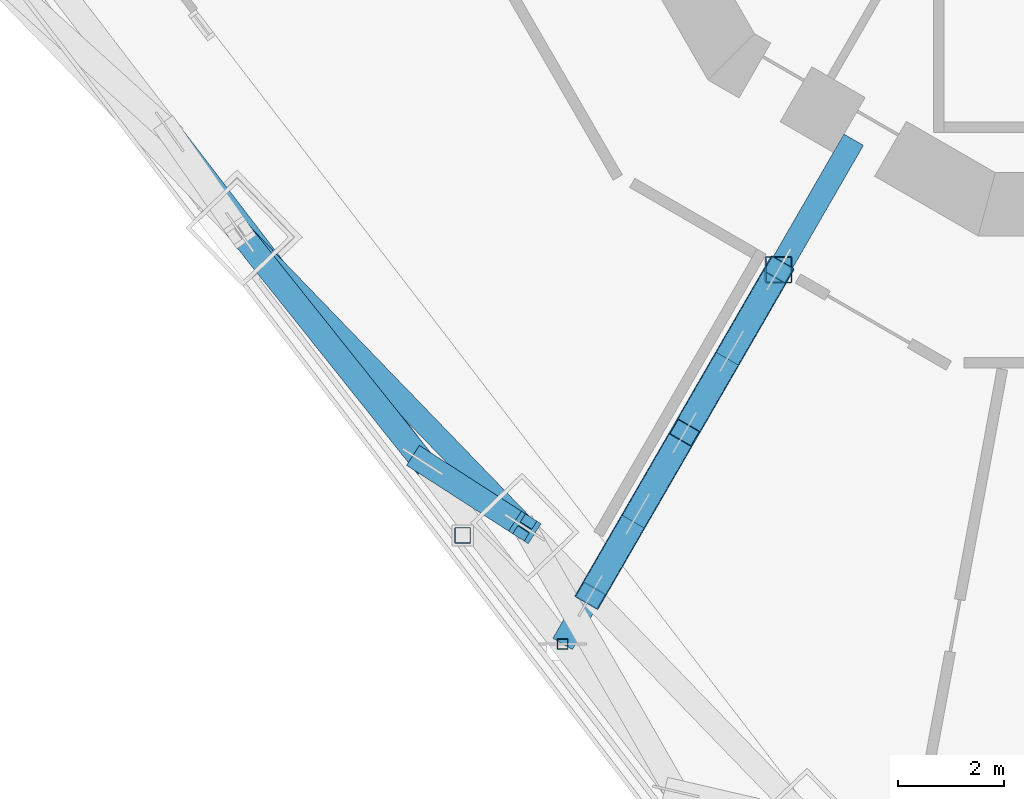
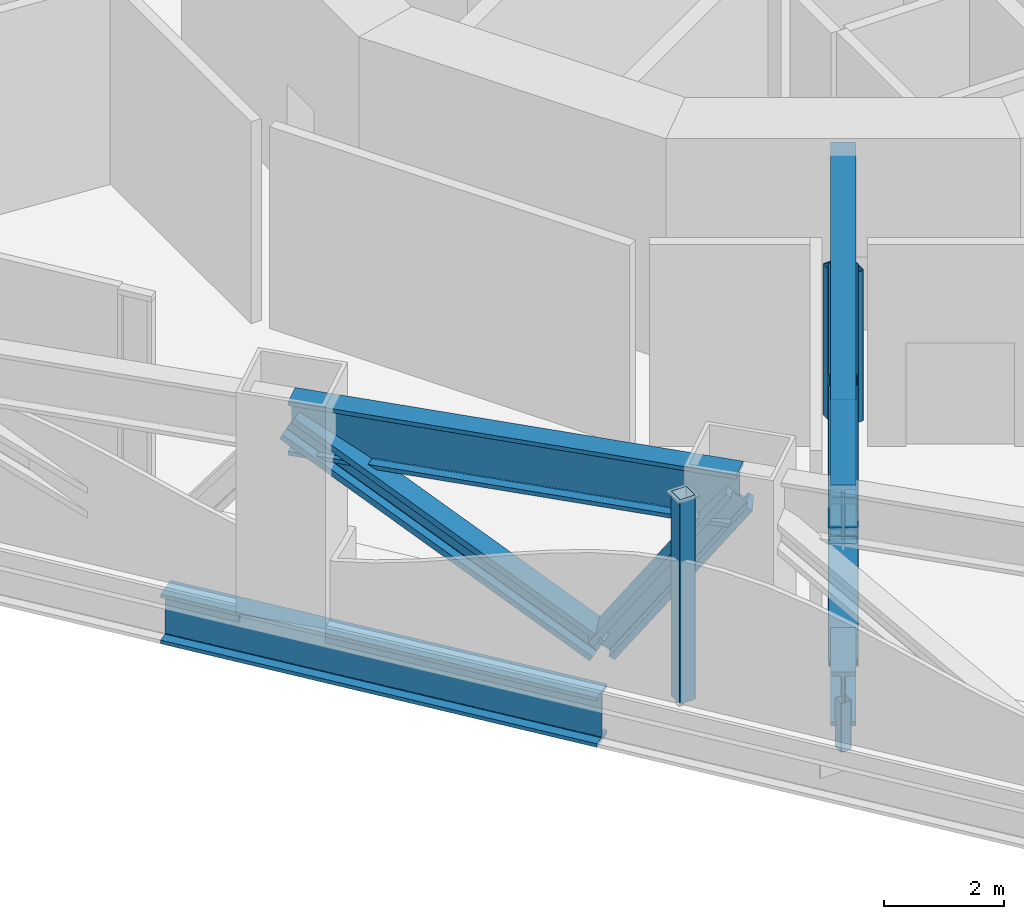
# One storey, part 2 of 31: 15 members.
"""IFC4 building model written with IfcOpenShell, lengths in metres."""

from ifc_helpers import new_model, si_unit, direction, frame, origin, origin_2d, place, context, subcontext, project, spatial, hollow_rectangle, i_section, extrude, material, material_profile, profile_set, type_object, element, save


model = new_model("IFC4")

# Units and contexts
model_context = context("Model", 3, precision=1e-05, world=origin(), true_north=direction((0.0, 1.0)))
body_context = subcontext(model_context, "Body", "Model", "MODEL_VIEW")
ifc_project = project(units=[si_unit("LENGTHUNIT", "METRE"), si_unit("AREAUNIT", "SQUARE_METRE"), si_unit("VOLUMEUNIT", "CUBIC_METRE"), si_unit("PLANEANGLEUNIT", "RADIAN"), si_unit("MASSUNIT", "GRAM", prefix="KILO")], contexts=[model_context])

# Site, building, storey
site_placement = place(None, origin())
site = spatial("IfcSite", under=ifc_project, at=site_placement, CompositionType="ELEMENT")
building_placement = place(site_placement, origin())
building = spatial("IfcBuilding", under=site, at=building_placement, Name="Trine Commons Tower", CompositionType="ELEMENT")
storey_placement = place(building_placement, frame((0.0, 0.0, 82.800048828125)))
storey = spatial("IfcBuildingStorey", under=building, at=storey_placement, Name="L20", CompositionType="ELEMENT", Elevation=82.800048828125)

# Members
ifc_material_1 = material(Name="Structural steel ASTM A500 Gr C", Category="steel")
ifc_material_profile_1 = material_profile(ifc_material_1, hollow_rectangle(XDim=0.508056640625, YDim=0.508056640625, WallThickness=0.020751953125, InnerFilletRadius=0.01025390625, OuterFilletRadius=0.031005859375, at=origin_2d()), Name="HSS20X20X7/8")
ifc_profile_set_1 = profile_set([ifc_material_profile_1], Name="Structural steel ASTM A500 Gr C")
member_type_1 = type_object("IfcMemberType", Name="Steel brace HSS20X20X7/8, ASTM A500 Gr C", PredefinedType="BRACE", material=ifc_profile_set_1)
member_1_placement = place(storey_placement, frame((73.27490234375, 50.85205078125, 0.546142578125), z_axis=(-0.379177903993, -0.656821894907, 0.651773822345), x_axis=(0.866047323742, -0.499962031597, 0.0)))
element("IfcMember", 1, at=member_1_placement, inside=storey, type_object=member_type_1, Name="Outrigger truss brace T2-OB-05", PredefinedType="BRACE", context=body_context, shape_type="SweptSolid", body=[
    extrude(hollow_rectangle(XDim=0.508056640625, YDim=0.508056640625, WallThickness=0.020751953125, InnerFilletRadius=0.01025390625, OuterFilletRadius=0.031005859375, at=origin_2d()), origin(), (0.0, 0.0, 1.0), 4.691162109375),
])
member_2_placement = place(storey_placement, frame((73.27490234375, 50.85205078125, 3.603759765625), z_axis=(-0.379164942965, -0.656851483682, -0.651751543466), x_axis=(0.866064474495, -0.499932321437, 0.0)))
element("IfcMember", 2, at=member_2_placement, inside=storey, type_object=member_type_1, Name="Outrigger truss brace T2-OB-06a", PredefinedType="BRACE", context=body_context, shape_type="SweptSolid", body=[
    extrude(hollow_rectangle(XDim=0.508056640625, YDim=0.508056640625, WallThickness=0.020751953125, InnerFilletRadius=0.01025390625, OuterFilletRadius=0.031005859375, at=origin_2d()), origin(), (0.0, 0.0, 1.0), 2.345703125),
])
member_3_placement = place(storey_placement, frame((72.385498046875, 49.311279296875, 2.074951171875), z_axis=(-0.379190865323, -0.656792303098, -0.651796101743), x_axis=(0.866030169931, -0.4999917447, 0.0)))
element("IfcMember", 3, at=member_3_placement, inside=storey, type_object=member_type_1, Name="Outrigger truss brace T2-OB-06b", PredefinedType="BRACE", context=body_context, shape_type="SweptSolid", body=[
    extrude(hollow_rectangle(XDim=0.508056640625, YDim=0.508056640625, WallThickness=0.020751953125, InnerFilletRadius=0.01025390625, OuterFilletRadius=0.031005859375, at=origin_2d()), origin(), (0.0, 0.0, 1.0), 2.345458984375),
])
member_4_placement = place(storey_placement, frame((71.49609375, 47.770751953125, 0.546142578125), z_axis=(-0.379190865323, -0.656792303098, 0.651796101743), x_axis=(0.866030169931, -0.4999917447, 0.0)))
element("IfcMember", 4, at=member_4_placement, inside=storey, type_object=member_type_1, Name="Outrigger truss brace T2-OB-07", PredefinedType="BRACE", context=body_context, shape_type="SweptSolid", body=[
    extrude(hollow_rectangle(XDim=0.508056640625, YDim=0.508056640625, WallThickness=0.020751953125, InnerFilletRadius=0.01025390625, OuterFilletRadius=0.031005859375, at=origin_2d()), origin(), (0.0, 0.0, 1.0), 4.691162109375),
])
for number, where, z_axis, x_axis, name in (
    (5, (71.49609375, 47.770751953125, 3.603759765625), (-0.379190865323, -0.656792303098, -0.651796101743), (0.866030169931, -0.4999917447, 0.0), "Outrigger truss brace T2-OB-08a"),
    (6, (70.606689453125, 46.230224609375, 2.074951171875), (-0.379190865323, -0.656792303098, -0.651796101743), (0.866030169931, -0.4999917447, 0.0), "Outrigger truss brace T2-OB-08b"),
):
    element("IfcMember", number, at=place(storey_placement, frame(where, z_axis=z_axis, x_axis=x_axis)), inside=storey, type_object=member_type_1, Name=name, PredefinedType="BRACE", context=body_context, shape_type="SweptSolid", body=[
        extrude(hollow_rectangle(XDim=0.508056640625, YDim=0.508056640625, WallThickness=0.020751953125, InnerFilletRadius=0.01025390625, OuterFilletRadius=0.031005859375, at=origin_2d()), origin(), (0.0, 0.0, 1.0), 2.345458984375),
    ])
ifc_material_2 = material(Name="Structural steel ASTM A992 Gr50", Category="steel")
ifc_material_profile_2 = material_profile(ifc_material_2, i_section(OverallWidth=0.44775390625, OverallDepth=0.54931640625, WebThickness=0.072021484375, FlangeThickness=0.11474609375, FilletRadius=0.01513671875, at=origin_2d()), Name="W14X665")
ifc_profile_set_2 = profile_set([ifc_material_profile_2], Name="Structural steel ASTM A992 Gr50")
member_type_2 = type_object("IfcMemberType", Name="Steel brace W14X665, ASTM A992 Gr50", PredefinedType="BRACE", material=ifc_profile_set_2)
member_5_placement = place(storey_placement, frame((66.5439453125, 47.220703125, 0.504638671875), z_axis=(0.500391317544, -0.322390003827, 0.803537936104), x_axis=(0.541601147008, 0.840635591419, 0.0)))
element("IfcMember", 7, at=member_5_placement, inside=storey, type_object=member_type_2, Name="Belt truss brace T2-DG-07", PredefinedType="BRACE", context=body_context, shape_type="SweptSolid", body=[
    extrude(i_section(OverallWidth=0.44775390625, OverallDepth=0.54931640625, WebThickness=0.072021484375, FlangeThickness=0.11474609375, FilletRadius=0.01513671875, at=origin_2d()), origin(), (0.0, 0.0, 1.0), 3.85693359375),
])
member_6_placement = place(storey_placement, frame((66.5439453125, 47.220703125, 0.504638671875), z_axis=(-0.544347807174, 0.682509489458, 0.487715348974), x_axis=(-0.781795381201, -0.623535068727, 0.0)))
element("IfcMember", 8, at=member_6_placement, inside=storey, type_object=member_type_2, Name="Belt truss brace T2-DG-10", PredefinedType="BRACE", context=body_context, shape_type="SweptSolid", body=[
    extrude(i_section(OverallWidth=0.44775390625, OverallDepth=0.54931640625, WebThickness=0.072021484375, FlangeThickness=0.11474609375, FilletRadius=0.01513671875, at=origin_2d()), origin(), (0.0, 0.0, 1.0), 6.354248046875),
])
ifc_material_profile_3 = material_profile(ifc_material_2, i_section(OverallWidth=0.43798828125, OverallDepth=1.009521484375, WebThickness=0.041015625, FlangeThickness=0.073974609375, FilletRadius=0.024169921875, at=origin_2d()), Name="W36X529")
ifc_profile_set_3 = profile_set([ifc_material_profile_3], Name="Structural steel ASTM A992 Gr50")
member_type_3 = type_object("IfcMemberType", Name="Steel chord W36X529, ASTM A992 Gr50", PredefinedType="CHORD", material=ifc_profile_set_3)
member_7_placement = place(storey_placement, frame((66.5439453125, 47.220703125, -0.954833984375), z_axis=(-0.608749688417, 0.793362349026, 0.0), x_axis=(-0.793362349026, -0.608749688417, 0.0)))
element("IfcMember", 9, at=member_7_placement, inside=storey, type_object=member_type_3, Name="Belt truss chord T2-LC-04", PredefinedType="CHORD", context=body_context, shape_type="SweptSolid", body=[
    extrude(i_section(OverallWidth=0.43798828125, OverallDepth=1.009521484375, WebThickness=0.041015625, FlangeThickness=0.073974609375, FilletRadius=0.024169921875, at=origin_2d()), origin(), (0.0, 0.0, 1.0), 7.860595703125),
])
ifc_material_profile_4 = material_profile(ifc_material_2, i_section(OverallWidth=0.42529296875, OverallDepth=1.09228515625, WebThickness=0.04541015625, FlangeThickness=0.08203125, FilletRadius=0.030029296875, at=origin_2d()), Name="W40X593")
ifc_profile_set_4 = profile_set([ifc_material_profile_4], Name="Structural steel ASTM A992 Gr50")
member_type_4 = type_object("IfcMemberType", Name="Steel chord W40X593, ASTM A992 Gr50", PredefinedType="CHORD", material=ifc_profile_set_4)
member_8_placement = place(storey_placement, frame((68.473876953125, 45.977294921875, 3.603759765625), z_axis=(-0.694662468896, 0.719335842502, 0.0), x_axis=(-0.719335842502, -0.694662468896, 0.0)))
element("IfcMember", 10, at=member_8_placement, inside=storey, type_object=member_type_4, Name="Belt truss chord T2-UC-04", PredefinedType="CHORD", context=body_context, shape_type="SweptSolid", body=[
    extrude(i_section(OverallWidth=0.42529296875, OverallDepth=1.09228515625, WebThickness=0.04541015625, FlangeThickness=0.08203125, FilletRadius=0.030029296875, at=origin_2d()), origin(), (0.0, 0.0, 1.0), 7.757568359375),
])
member_9_placement = place(storey_placement, frame((73.27490234375, 50.85205078125, 0.546142578125), z_axis=(-0.499978454482, -0.866037842738, 0.0), x_axis=(0.866037842738, -0.499978454482, 0.0)))
element("IfcMember", 11, at=member_9_placement, inside=storey, type_object=member_type_4, Name="Outrigger truss chord T2-OL-02", PredefinedType="CHORD", context=body_context, shape_type="SweptSolid", body=[
    extrude(i_section(OverallWidth=0.42529296875, OverallDepth=1.09228515625, WebThickness=0.04541015625, FlangeThickness=0.08203125, FilletRadius=0.030029296875, at=origin_2d()), origin(), (0.0, 0.0, 1.0), 8.172607421875),
])
member_10_placement = place(storey_placement, frame((74.694091796875, 53.31005859375, 3.603759765625), z_axis=(-0.49998784692, -0.866032420255, 0.0), x_axis=(0.866032420255, -0.49998784692, 0.0)))
element("IfcMember", 12, at=member_10_placement, inside=storey, type_object=member_type_4, Name="Outrigger truss chord T2-OU-02", PredefinedType="CHORD", context=body_context, shape_type="SweptSolid", body=[
    extrude(i_section(OverallWidth=0.42529296875, OverallDepth=1.09228515625, WebThickness=0.04541015625, FlangeThickness=0.08203125, FilletRadius=0.030029296875, at=origin_2d()), origin(), (0.0, 0.0, 1.0), 9.953857421875),
])
ifc_material_profile_5 = material_profile(ifc_material_1, hollow_rectangle(XDim=0.3046875, YDim=0.3046875, WallThickness=0.014892578125, InnerFilletRadius=0.00732421875, OuterFilletRadius=0.022216796875, at=origin_2d()), Name="HSS12X12X5/8")
ifc_profile_set_5 = profile_set([ifc_material_profile_5], Name="Structural steel ASTM A500 Gr C")
member_type_5 = type_object("IfcMemberType", Name="Steel post HSS12X12X5/8, ASTM A500 Gr C", PredefinedType="POST", material=ifc_profile_set_5)
member_11_placement = place(storey_placement, frame((67.298828125, 45.826416015625, 0.0), z_axis=(0.0, 0.0, 1.0), x_axis=(1.0, 0.0, 0.0)))
element("IfcMember", 13, at=member_11_placement, inside=storey, type_object=member_type_5, Name="Roof post SP2-33", PredefinedType="POST", context=body_context, shape_type="SweptSolid", body=[
    extrude(hollow_rectangle(XDim=0.3046875, YDim=0.3046875, WallThickness=0.014892578125, InnerFilletRadius=0.00732421875, OuterFilletRadius=0.022216796875, at=origin_2d()), origin(), (0.0, 0.0, 1.0), 4.14990234375),
])
ifc_material_profile_6 = material_profile(ifc_material_1, hollow_rectangle(XDim=0.508056640625, YDim=0.508056640625, WallThickness=0.020751953125, InnerFilletRadius=0.01025390625, OuterFilletRadius=0.031005859375, at=origin_2d()), Name="HSS20X20X7/8")
ifc_profile_set_6 = profile_set([ifc_material_profile_6], Name="Structural steel ASTM A500 Gr C")
member_type_6 = type_object("IfcMemberType", Name="Steel post HSS20X20X7/8, ASTM A500 Gr C", PredefinedType="POST", material=ifc_profile_set_6)
member_12_placement = place(storey_placement, frame((73.27490234375, 50.85205078125, 0.546142578125), z_axis=(0.0, 0.0, 1.0), x_axis=(1.0, 0.0, 0.0)))
element("IfcMember", 14, at=member_12_placement, inside=storey, type_object=member_type_6, Name="Outrigger truss post T2-OP-02", PredefinedType="POST", context=body_context, shape_type="SweptSolid", body=[
    extrude(hollow_rectangle(XDim=0.508056640625, YDim=0.508056640625, WallThickness=0.020751953125, InnerFilletRadius=0.01025390625, OuterFilletRadius=0.031005859375, at=origin_2d()), origin(), (0.0, 0.0, 1.0), 3.0576171875),
])
ifc_material_profile_7 = material_profile(ifc_material_1, hollow_rectangle(XDim=0.203125, YDim=0.203125, WallThickness=0.0087890625, InnerFilletRadius=0.00439453125, OuterFilletRadius=0.013427734375, at=origin_2d()), Name="HSS8X8X3/8")
ifc_profile_set_7 = profile_set([ifc_material_profile_7], Name="Structural steel ASTM A500 Gr C")
member_type_7 = type_object("IfcMemberType", Name="Steel post HSS8X8X3/8, ASTM A500 Gr C", PredefinedType="POST", material=ifc_profile_set_7)
member_13_placement = place(storey_placement, frame((69.188720703125, 43.774169921875, -0.449951171875), z_axis=(0.0, 0.0, 1.0), x_axis=(1.0, 0.0, 0.0)))
element("IfcMember", 15, at=member_13_placement, inside=storey, type_object=member_type_7, Name="Outrigger truss post T2-OS-02", PredefinedType="POST", context=body_context, shape_type="SweptSolid", body=[
    extrude(hollow_rectangle(XDim=0.203125, YDim=0.203125, WallThickness=0.0087890625, InnerFilletRadius=0.00439453125, OuterFilletRadius=0.013427734375, at=origin_2d()), origin(), (0.0, 0.0, 1.0), 0.99609375),
])

save(model, "model.ifc")
